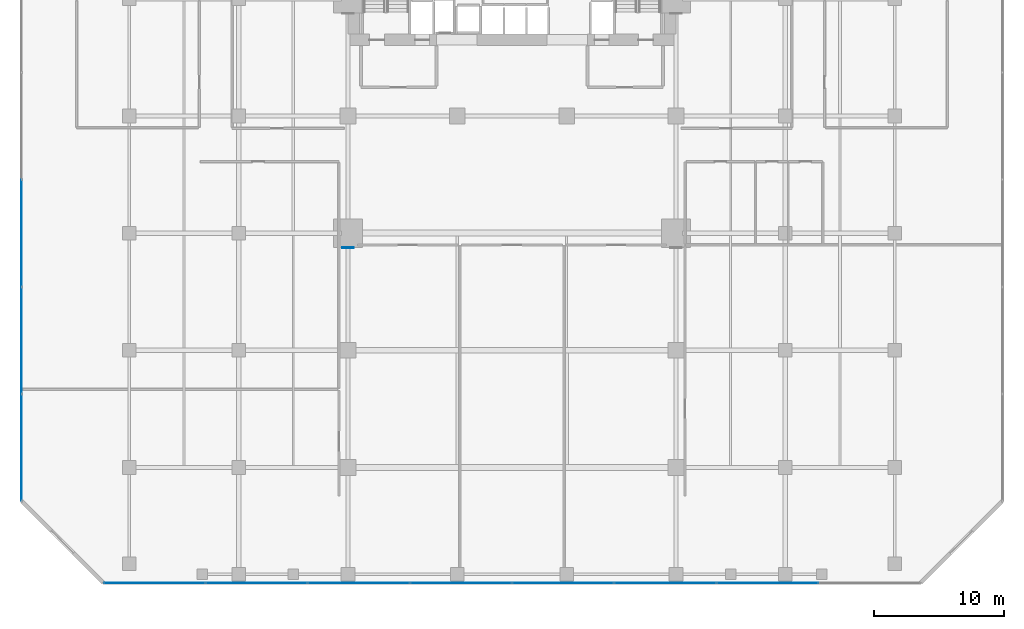
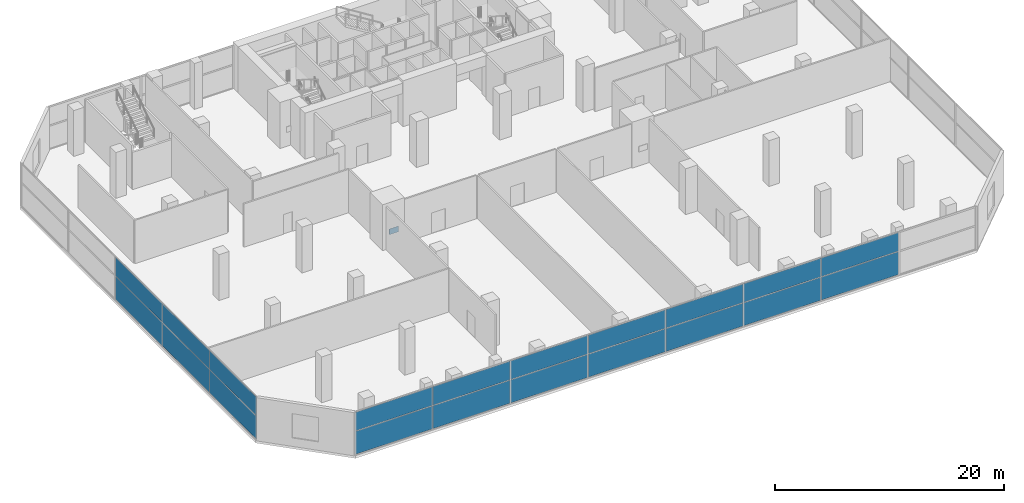
# One storey, part 31 of 39: 21 plates, 2 elements without a shape of their own.
"""IFC4 building model written with IfcOpenShell, lengths in metres."""

from ifc_helpers import new_model, si_unit, direction, frame, origin, origin_2d, place, context, subcontext, project, spatial, rectangle, extrude, material, layer, layer_set, type_object, element, aggregate, save


model = new_model("IFC4")

# Units and contexts
model_context = context("Model", 3, precision=1e-05, world=origin(), true_north=direction((0.0, 1.0)))
body_context = subcontext(model_context, "Body", "Model", "MODEL_VIEW")
ifc_project = project(units=[si_unit("LENGTHUNIT", "METRE"), si_unit("AREAUNIT", "SQUARE_METRE"), si_unit("VOLUMEUNIT", "CUBIC_METRE"), si_unit("PLANEANGLEUNIT", "RADIAN"), si_unit("MASSUNIT", "GRAM", prefix="KILO")], contexts=[model_context])

# Site, building, storey
site_placement = place(None, origin())
site = spatial("IfcSite", under=ifc_project, at=site_placement, CompositionType="ELEMENT")
building_placement = place(site_placement, origin())
building = spatial("IfcBuilding", under=site, at=building_placement, Name="Maruvema Waterfront Hotel and Observation Tower", CompositionType="ELEMENT")
storey_placement = place(building_placement, frame((0.0, 0.0, 16.449951171875)))
storey = spatial("IfcBuildingStorey", under=building, at=storey_placement, Name="L03", CompositionType="ELEMENT", Elevation=16.449951171875)

# Curtain wall, plates
ifc_material_1 = material(Name="Anodised bronze aluminium and solar-control low-E IGU", Category="aluminium")
ifc_layer_1 = layer(ifc_material_1, 0.159912109375, Name="Podium Waterfront Storefront Curtain Wall System CW-01")
ifc_layer_set_1 = layer_set([ifc_layer_1], Name="Anodised bronze aluminium and solar-control low-E IGU")
curtain_wall_type = type_object("IfcCurtainWallType", Name="Podium Waterfront Storefront Curtain Wall System CW-01", PredefinedType="USERDEFINED", material=ifc_layer_set_1)
curtain_wall_1_placement = place(storey_placement, origin())
curtain_wall_1 = element("IfcCurtainWall", 1, at=curtain_wall_1_placement, inside=storey, type_object=curtain_wall_type, Name="L03 Curtain Wall CW-L03-S", ObjectType="UNITISED CURTAIN WALL", PredefinedType="USERDEFINED")
ifc_material_2 = material(Name="Laminated low-E solar-control double glazing", Category="glass")
ifc_layer_2 = layer(ifc_material_2, 0.035888671875, Name="Solar Control Double-Glazed Curtain Panel 36 mm")
ifc_layer_set_2 = layer_set([ifc_layer_2], Name="Laminated low-E solar-control double glazing")
plate_type_1 = type_object("IfcPlateType", Name="Solar Control Double-Glazed Curtain Panel 36 mm", PredefinedType="CURTAIN_PANEL", material=ifc_layer_set_2)
plate_1_placement = place(storey_placement, frame((10.340087890625, 0.1201171875, 0.06005859375), z_axis=(0.0, 0.0, 1.0), x_axis=(1.0, 0.0, 0.0)))
plate_1 = element("IfcPlate", 2, at=plate_1_placement, type_object=plate_type_1, Name="CW-01 panel 1.1", PredefinedType="CURTAIN_PANEL", context=body_context, shape_type="SweptSolid", body=[
    extrude(rectangle(XDim=7.760009765625, YDim=0.028076171875, at=origin_2d()), origin(), (0.0, 0.0, 1.0), 2.4599609375),
])
plate_2_placement = place(storey_placement, frame((10.340087890625, 0.1201171875, 2.580078125), z_axis=(0.0, 0.0, 1.0), x_axis=(1.0, 0.0, 0.0)))
plate_2 = element("IfcPlate", 3, at=plate_2_placement, type_object=plate_type_1, Name="CW-01 panel 1.2", PredefinedType="CURTAIN_PANEL", context=body_context, shape_type="SweptSolid", body=[
    extrude(rectangle(XDim=7.760009765625, YDim=0.028076171875, at=origin_2d()), origin(), (0.0, 0.0, 1.0), 1.97998046875),
])
plate_3_placement = place(storey_placement, frame((18.175048828125, 0.1201171875, 0.06005859375), z_axis=(0.0, 0.0, 1.0), x_axis=(1.0, 0.0, 0.0)))
plate_3 = element("IfcPlate", 4, at=plate_3_placement, type_object=plate_type_1, Name="CW-01 panel 2.1", PredefinedType="CURTAIN_PANEL", context=body_context, shape_type="SweptSolid", body=[
    extrude(rectangle(XDim=7.7900390625, YDim=0.028076171875, at=origin_2d()), origin(), (0.0, 0.0, 1.0), 2.4599609375),
])
plate_4_placement = place(storey_placement, frame((18.175048828125, 0.1201171875, 2.580078125), z_axis=(0.0, 0.0, 1.0), x_axis=(1.0, 0.0, 0.0)))
plate_4 = element("IfcPlate", 5, at=plate_4_placement, type_object=plate_type_1, Name="CW-01 panel 2.2", PredefinedType="CURTAIN_PANEL", context=body_context, shape_type="SweptSolid", body=[
    extrude(rectangle(XDim=7.7900390625, YDim=0.028076171875, at=origin_2d()), origin(), (0.0, 0.0, 1.0), 1.97998046875),
])
plate_5_placement = place(storey_placement, frame((26.02490234375, 0.1201171875, 0.06005859375), z_axis=(0.0, 0.0, 1.0), x_axis=(1.0, 0.0, 0.0)))
plate_5 = element("IfcPlate", 6, at=plate_5_placement, type_object=plate_type_1, Name="CW-01 panel 3.1", PredefinedType="CURTAIN_PANEL", context=body_context, shape_type="SweptSolid", body=[
    extrude(rectangle(XDim=7.7900390625, YDim=0.028076171875, at=origin_2d()), origin(), (0.0, 0.0, 1.0), 2.4599609375),
])
plate_6_placement = place(storey_placement, frame((26.02490234375, 0.1201171875, 2.580078125), z_axis=(0.0, 0.0, 1.0), x_axis=(1.0, 0.0, 0.0)))
plate_6 = element("IfcPlate", 7, at=plate_6_placement, type_object=plate_type_1, Name="CW-01 panel 3.2", PredefinedType="CURTAIN_PANEL", context=body_context, shape_type="SweptSolid", body=[
    extrude(rectangle(XDim=7.7900390625, YDim=0.028076171875, at=origin_2d()), origin(), (0.0, 0.0, 1.0), 1.97998046875),
])
plate_7_placement = place(storey_placement, frame((33.875, 0.1201171875, 0.06005859375), z_axis=(0.0, 0.0, 1.0), x_axis=(1.0, 0.0, 0.0)))
plate_7 = element("IfcPlate", 8, at=plate_7_placement, type_object=plate_type_1, Name="CW-01 panel 4.1", PredefinedType="CURTAIN_PANEL", context=body_context, shape_type="SweptSolid", body=[
    extrude(rectangle(XDim=7.7900390625, YDim=0.028076171875, at=origin_2d()), origin(), (0.0, 0.0, 1.0), 2.4599609375),
])
plate_8_placement = place(storey_placement, frame((33.875, 0.1201171875, 2.580078125), z_axis=(0.0, 0.0, 1.0), x_axis=(1.0, 0.0, 0.0)))
plate_8 = element("IfcPlate", 9, at=plate_8_placement, type_object=plate_type_1, Name="CW-01 panel 4.2", PredefinedType="CURTAIN_PANEL", context=body_context, shape_type="SweptSolid", body=[
    extrude(rectangle(XDim=7.7900390625, YDim=0.028076171875, at=origin_2d()), origin(), (0.0, 0.0, 1.0), 1.97998046875),
])
plate_9_placement = place(storey_placement, frame((41.72509765625, 0.1201171875, 0.06005859375), z_axis=(0.0, 0.0, 1.0), x_axis=(1.0, 0.0, 0.0)))
plate_9 = element("IfcPlate", 10, at=plate_9_placement, type_object=plate_type_1, Name="CW-01 panel 5.1", PredefinedType="CURTAIN_PANEL", context=body_context, shape_type="SweptSolid", body=[
    extrude(rectangle(XDim=7.7900390625, YDim=0.028076171875, at=origin_2d()), origin(), (0.0, 0.0, 1.0), 2.4599609375),
])
plate_10_placement = place(storey_placement, frame((41.72509765625, 0.1201171875, 2.580078125), z_axis=(0.0, 0.0, 1.0), x_axis=(1.0, 0.0, 0.0)))
plate_10 = element("IfcPlate", 11, at=plate_10_placement, type_object=plate_type_1, Name="CW-01 panel 5.2", PredefinedType="CURTAIN_PANEL", context=body_context, shape_type="SweptSolid", body=[
    extrude(rectangle(XDim=7.7900390625, YDim=0.028076171875, at=origin_2d()), origin(), (0.0, 0.0, 1.0), 1.97998046875),
])
plate_11_placement = place(storey_placement, frame((49.574951171875, 0.1201171875, 0.06005859375), z_axis=(0.0, 0.0, 1.0), x_axis=(1.0, 0.0, 0.0)))
plate_11 = element("IfcPlate", 12, at=plate_11_placement, type_object=plate_type_1, Name="CW-01 panel 6.1", PredefinedType="CURTAIN_PANEL", context=body_context, shape_type="SweptSolid", body=[
    extrude(rectangle(XDim=7.7900390625, YDim=0.028076171875, at=origin_2d()), origin(), (0.0, 0.0, 1.0), 2.4599609375),
])
plate_12_placement = place(storey_placement, frame((49.574951171875, 0.1201171875, 2.580078125), z_axis=(0.0, 0.0, 1.0), x_axis=(1.0, 0.0, 0.0)))
plate_12 = element("IfcPlate", 13, at=plate_12_placement, type_object=plate_type_1, Name="CW-01 panel 6.2", PredefinedType="CURTAIN_PANEL", context=body_context, shape_type="SweptSolid", body=[
    extrude(rectangle(XDim=7.7900390625, YDim=0.028076171875, at=origin_2d()), origin(), (0.0, 0.0, 1.0), 1.97998046875),
])
plate_13_placement = place(storey_placement, frame((57.425048828125, 0.1201171875, 0.06005859375), z_axis=(0.0, 0.0, 1.0), x_axis=(1.0, 0.0, 0.0)))
plate_13 = element("IfcPlate", 14, at=plate_13_placement, type_object=plate_type_1, Name="CW-01 panel 7.1", PredefinedType="CURTAIN_PANEL", context=body_context, shape_type="SweptSolid", body=[
    extrude(rectangle(XDim=7.7900390625, YDim=0.028076171875, at=origin_2d()), origin(), (0.0, 0.0, 1.0), 2.4599609375),
])
plate_14_placement = place(storey_placement, frame((57.425048828125, 0.1201171875, 2.580078125), z_axis=(0.0, 0.0, 1.0), x_axis=(1.0, 0.0, 0.0)))
plate_14 = element("IfcPlate", 15, at=plate_14_placement, type_object=plate_type_1, Name="CW-01 panel 7.2", PredefinedType="CURTAIN_PANEL", context=body_context, shape_type="SweptSolid", body=[
    extrude(rectangle(XDim=7.7900390625, YDim=0.028076171875, at=origin_2d()), origin(), (0.0, 0.0, 1.0), 1.97998046875),
])
aggregate(curtain_wall_1, [plate_1, plate_2, plate_3, plate_4, plate_5, plate_6, plate_7, plate_8, plate_9, plate_10, plate_11, plate_12, plate_13, plate_14])

curtain_wall_2_placement = place(storey_placement, origin())
curtain_wall_2 = element("IfcCurtainWall", 16, at=curtain_wall_2_placement, inside=storey, type_object=curtain_wall_type, Name="L03 Curtain Wall CW-L03-W", ObjectType="UNITISED CURTAIN WALL", PredefinedType="USERDEFINED")
plate_15_placement = place(storey_placement, frame((0.1201171875, 27.0, 0.06005859375), z_axis=(0.0, 0.0, 1.0), x_axis=(0.0, -1.0, 0.0)))
plate_15 = element("IfcPlate", 17, at=plate_15_placement, type_object=plate_type_1, Name="CW-01 panel 3.1", PredefinedType="CURTAIN_PANEL", context=body_context, shape_type="SweptSolid", body=[
    extrude(rectangle(XDim=8.179931640625, YDim=0.028076171875, at=origin_2d()), origin(), (0.0, 0.0, 1.0), 2.4599609375),
])
plate_16_placement = place(storey_placement, frame((0.1201171875, 27.0, 2.580078125), z_axis=(0.0, 0.0, 1.0), x_axis=(0.0, -1.0, 0.0)))
plate_16 = element("IfcPlate", 18, at=plate_16_placement, type_object=plate_type_1, Name="CW-01 panel 3.2", PredefinedType="CURTAIN_PANEL", context=body_context, shape_type="SweptSolid", body=[
    extrude(rectangle(XDim=8.179931640625, YDim=0.028076171875, at=origin_2d()), origin(), (0.0, 0.0, 1.0), 1.97998046875),
])
plate_17_placement = place(storey_placement, frame((0.1201171875, 18.760009765625, 0.06005859375), z_axis=(0.0, 0.0, 1.0), x_axis=(0.0, -1.0, 0.0)))
plate_17 = element("IfcPlate", 19, at=plate_17_placement, type_object=plate_type_1, Name="CW-01 panel 4.1", PredefinedType="CURTAIN_PANEL", context=body_context, shape_type="SweptSolid", body=[
    extrude(rectangle(XDim=8.179931640625, YDim=0.028076171875, at=origin_2d()), origin(), (0.0, 0.0, 1.0), 2.4599609375),
])
plate_18_placement = place(storey_placement, frame((0.1201171875, 18.760009765625, 2.580078125), z_axis=(0.0, 0.0, 1.0), x_axis=(0.0, -1.0, 0.0)))
plate_18 = element("IfcPlate", 20, at=plate_18_placement, type_object=plate_type_1, Name="CW-01 panel 4.2", PredefinedType="CURTAIN_PANEL", context=body_context, shape_type="SweptSolid", body=[
    extrude(rectangle(XDim=8.179931640625, YDim=0.028076171875, at=origin_2d()), origin(), (0.0, 0.0, 1.0), 1.97998046875),
])
plate_19_placement = place(storey_placement, frame((0.1201171875, 10.534912109375, 0.06005859375), z_axis=(0.0, 0.0, 1.0), x_axis=(0.0, -1.0, 0.0)))
plate_19 = element("IfcPlate", 21, at=plate_19_placement, type_object=plate_type_1, Name="CW-01 panel 5.1", PredefinedType="CURTAIN_PANEL", context=body_context, shape_type="SweptSolid", body=[
    extrude(rectangle(XDim=8.14990234375, YDim=0.028076171875, at=origin_2d()), origin(), (0.0, 0.0, 1.0), 2.4599609375),
])
plate_20_placement = place(storey_placement, frame((0.1201171875, 10.534912109375, 2.580078125), z_axis=(0.0, 0.0, 1.0), x_axis=(0.0, -1.0, 0.0)))
plate_20 = element("IfcPlate", 22, at=plate_20_placement, type_object=plate_type_1, Name="CW-01 panel 5.2", PredefinedType="CURTAIN_PANEL", context=body_context, shape_type="SweptSolid", body=[
    extrude(rectangle(XDim=8.14990234375, YDim=0.028076171875, at=origin_2d()), origin(), (0.0, 0.0, 1.0), 1.97998046875),
])
aggregate(curtain_wall_2, [plate_15, plate_16, plate_17, plate_18, plate_19, plate_20])

# Plate
ifc_material_3 = material(Name="Steel ABNT NBR 7007 AR 415 (ASTM A572 Grade 50)", Category="steel")
ifc_layer_3 = layer(ifc_material_3, 0.0400390625, Name="Structural Truss Node Gusset Plate 40 mm")
ifc_layer_set_3 = layer_set([ifc_layer_3], Name="Steel ABNT NBR 7007 AR 415 (ASTM A572 Grade 50)")
plate_type_2 = type_object("IfcPlateType", Name="Structural Truss Node Gusset Plate 40 mm", PredefinedType="USERDEFINED", material=ifc_layer_set_3)
plate_21_placement = place(storey_placement, frame((25.199951171875, 25.8798828125, 1.5), z_axis=(0.0, 0.0, 1.0), x_axis=(1.0, 0.0, 0.0)))
element("IfcPlate", 23, at=plate_21_placement, inside=storey, type_object=plate_type_2, Name="L03 MC-01 Moment Frame Continuity Gusset Plate", ObjectType="GUSSET_PLATE", PredefinedType="USERDEFINED", context=body_context, shape_type="SweptSolid", body=[
    extrude(rectangle(XDim=0.89990234375, YDim=0.0400390625, at=origin_2d()), origin(), (0.0, 0.0, 1.0), 0.60009765625),
])

save(model, "model.ifc")
